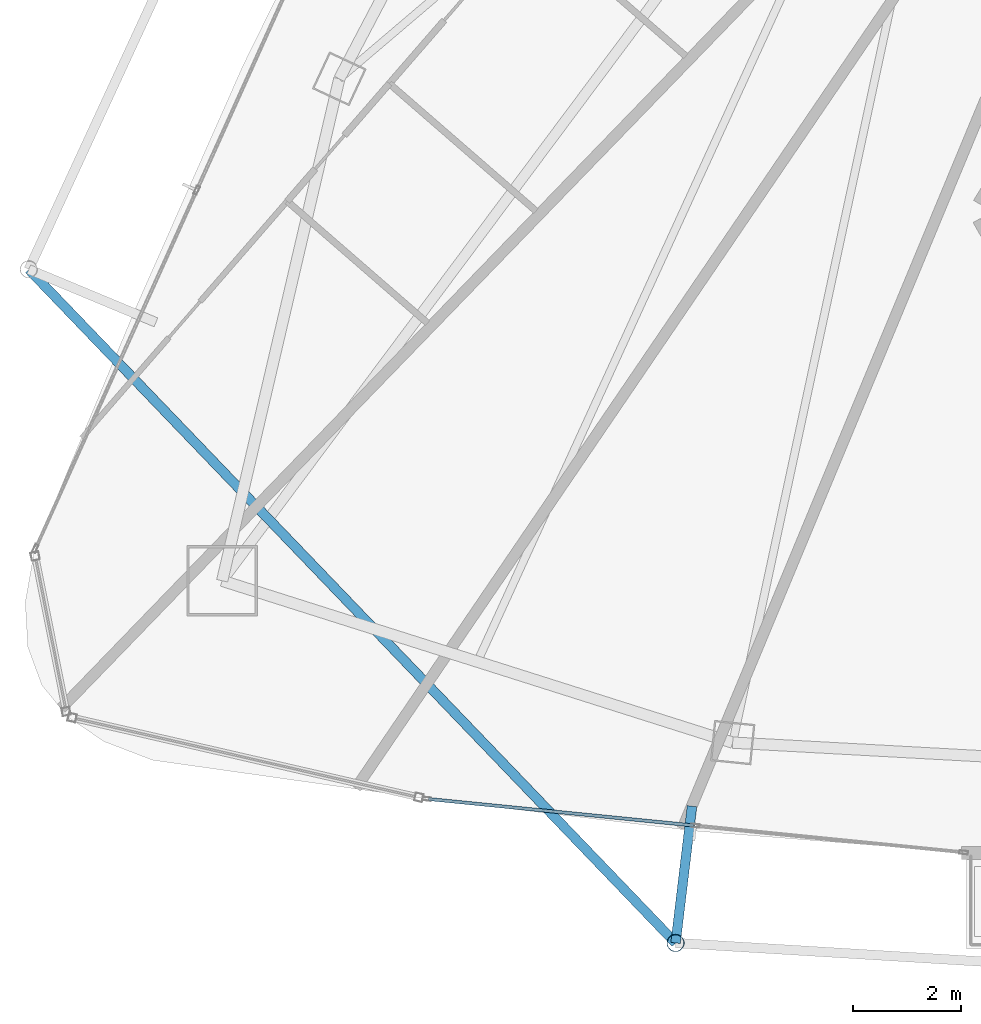
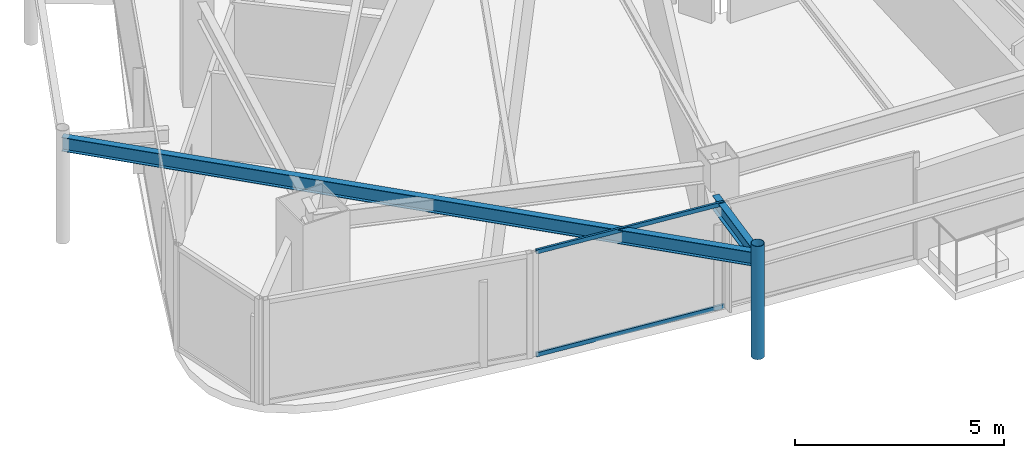
# One storey, part 3 of 29: 3 members, 2 beams, 1 element without a shape of its own.
"""IFC4 building model written with IfcOpenShell, lengths in metres."""

from ifc_helpers import new_model, si_unit, direction, frame, origin, origin_2d, place, context, subcontext, project, spatial, hollow_rectangle, hollow_circle, i_section, extrude, material, layer, layer_set, material_profile, profile_set, type_object, element, aggregate, save


model = new_model("IFC4")

# Units and contexts
model_context = context("Model", 3, precision=1e-05, world=origin(), true_north=direction((0.0, 1.0)))
body_context = subcontext(model_context, "Body", "Model", "MODEL_VIEW")
ifc_project = project(units=[si_unit("LENGTHUNIT", "METRE"), si_unit("AREAUNIT", "SQUARE_METRE"), si_unit("VOLUMEUNIT", "CUBIC_METRE"), si_unit("PLANEANGLEUNIT", "RADIAN"), si_unit("MASSUNIT", "GRAM", prefix="KILO")], contexts=[model_context])

# Site, building, storey
site_placement = place(None, origin())
site = spatial("IfcSite", under=ifc_project, at=site_placement, CompositionType="ELEMENT")
building_placement = place(site_placement, origin())
building = spatial("IfcBuilding", under=site, at=building_placement, Name="Orvanel Arch Residences", CompositionType="ELEMENT")
storey_placement = place(building_placement, frame((0.0, 0.0, 243.64990234375)))
storey = spatial("IfcBuildingStorey", under=building, at=storey_placement, Name="L69", CompositionType="ELEMENT", Elevation=243.64990234375)

# Beams
ifc_material_1 = material(Name="Structural steel AS/NZS 3679.1 Grade 300 (300 MPa)", Category="steel")
ifc_material_profile_1 = material_profile(ifc_material_1, i_section(OverallWidth=0.177978515625, OverallDepth=0.406005859375, WebThickness=0.0078125, FlangeThickness=0.0126953125, at=origin_2d()), Name="410UB59.7")
ifc_profile_set_1 = profile_set([ifc_material_profile_1], Name="Structural steel AS/NZS 3679.1 Grade 300 (300 MPa)")
beam_type = type_object("IfcBeamType", Name="OB-410UB-EXT", PredefinedType="SPANDREL", material=ifc_profile_set_1)
beam_1_placement = place(storey_placement, frame((10.618896484375, 16.114990234375, 2.857177734375), z_axis=(0.692619430275, -0.721303212806, 0.0), x_axis=(0.721303212806, 0.692619430275, 0.0)))
element("IfcBeam", 1, at=beam_1_placement, inside=storey, type_object=beam_type, Name="L69 Outer Perimeter Floor Ring Beam 04", PredefinedType="SPANDREL", context=body_context, shape_type="SweptSolid", body=[
    extrude(i_section(OverallWidth=0.177978515625, OverallDepth=0.406005859375, WebThickness=0.0078125, FlangeThickness=0.0126953125, at=origin_2d()), origin(), (0.0, 0.0, 1.0), 17.286865234375),
])
beam_2_placement = place(storey_placement, frame((22.89599609375, 6.177978515625, 2.857177734375), z_axis=(-0.119190521137, -0.992871401376, 0.0), x_axis=(0.992871401376, -0.119190521137, 0.0)))
element("IfcBeam", 2, at=beam_2_placement, inside=storey, type_object=beam_type, Name="L69 Outer Frame Radial Tie Beam 05", PredefinedType="SPANDREL", context=body_context, shape_type="SweptSolid", body=[
    extrude(i_section(OverallWidth=0.177978515625, OverallDepth=0.406005859375, WebThickness=0.0078125, FlangeThickness=0.0126953125, at=origin_2d()), origin(), (0.0, 0.0, 1.0), 2.550048828125),
])

# Member
ifc_material_2 = material(Name="Structural steel AS/NZS 1163 C350L0 (Grade 350)", Category="steel")
ifc_material_profile_2 = material_profile(ifc_material_2, hollow_circle(Radius=0.162109375, WallThickness=0.0126953125, at=origin_2d()), Name="CHS324x12.7")
ifc_profile_set_2 = profile_set([ifc_material_profile_2], Name="Structural steel AS/NZS 1163 C350L0 (Grade 350)")
member_type_1 = type_object("IfcMemberType", Name="ST-324CHS-EXT", PredefinedType="STRUT", material=ifc_profile_set_2)
member_1_placement = place(storey_placement, frame((22.592041015625, 3.64599609375, 0.0), z_axis=(0.0, 0.0, 1.0), x_axis=(1.0, 0.0, 0.0)))
element("IfcMember", 3, at=member_1_placement, inside=storey, type_object=member_type_1, Name="L69 Outer Perimeter Frame Post 05", PredefinedType="STRUT", context=body_context, shape_type="SweptSolid", body=[
    extrude(hollow_circle(Radius=0.162109375, WallThickness=0.0126953125, at=origin_2d()), origin(), (0.0, 0.0, 1.0), 3.300048828125),
])

# Curtain wall, members
ifc_material_3 = material(Name="Bronze-anodised aluminium AA6063-T6", Category="aluminium")
ifc_layer = layer(ifc_material_3, 0.175048828125)
ifc_layer_set = layer_set([ifc_layer], Name="Bronze-anodised aluminium AA6063-T6")
curtain_wall_type = type_object("IfcCurtainWallType", Name="CW4-HI-SYS", PredefinedType="NOTDEFINED", material=ifc_layer_set)
curtain_wall_placement = place(storey_placement, origin())
curtain_wall = element("IfcCurtainWall", 4, at=curtain_wall_placement, inside=storey, type_object=curtain_wall_type, Name="L69 CW4-HI-SYS Unitised Curtain Wall", PredefinedType="NOTDEFINED")
ifc_material_profile_3 = material_profile(ifc_material_3, hollow_rectangle(XDim=0.06005859375, YDim=0.1201171875, WallThickness=0.00341796875, at=origin_2d()), Name="ALU120x60x3.5")
ifc_profile_set_3 = profile_set([ifc_material_profile_3], Name="Bronze-anodised aluminium AA6063-T6")
member_type_2 = type_object("IfcMemberType", Name="TRN-120x60", PredefinedType="USERDEFINED", material=ifc_profile_set_3)
member_2_placement = place(storey_placement, frame((18.017578125, 6.310546875, 0.030029296875), z_axis=(0.995053357637, -0.099341911881, 0.0), x_axis=(0.099341911881, 0.995053357637, 0.0)))
member_2 = element("IfcMember", 5, at=member_2_placement, type_object=member_type_2, Name="CW-S4 transom 1.1", ObjectType="TRANSOM", PredefinedType="USERDEFINED", context=body_context, shape_type="SweptSolid", body=[
    extrude(hollow_rectangle(XDim=0.06005859375, YDim=0.1201171875, WallThickness=0.00341796875, at=origin_2d()), origin(), (0.0, 0.0, 1.0), 4.929931640625),
])
member_3_placement = place(storey_placement, frame((18.017578125, 6.310546875, 3.030029296875), z_axis=(0.995053357637, -0.099341911881, 0.0), x_axis=(0.099341911881, 0.995053357637, 0.0)))
member_3 = element("IfcMember", 6, at=member_3_placement, type_object=member_type_2, Name="CW-S4 transom 1.2", ObjectType="TRANSOM", PredefinedType="USERDEFINED", context=body_context, shape_type="SweptSolid", body=[
    extrude(hollow_rectangle(XDim=0.06005859375, YDim=0.1201171875, WallThickness=0.00341796875, at=origin_2d()), origin(), (0.0, 0.0, 1.0), 4.929931640625),
])
aggregate(curtain_wall, [member_2, member_3])

save(model, "model.ifc")
